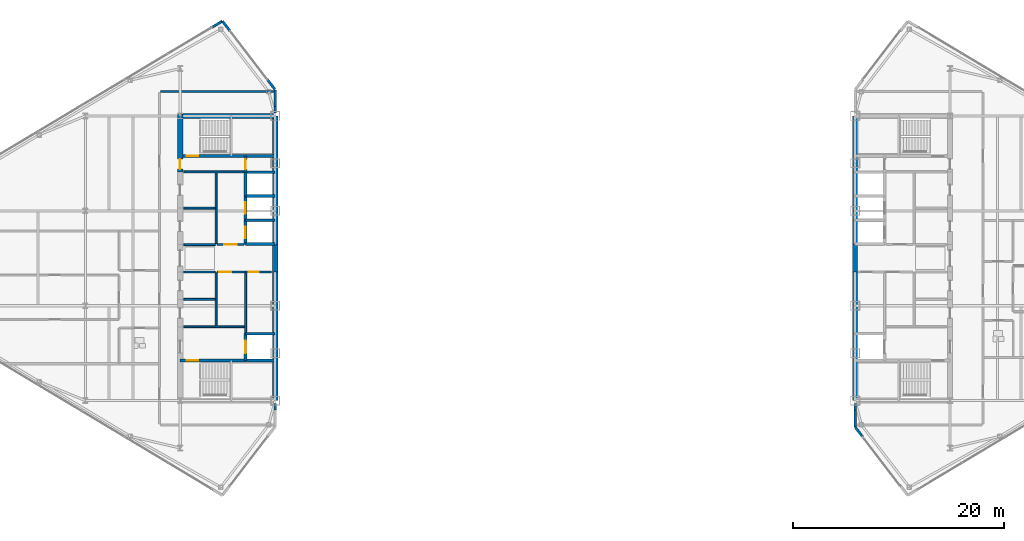
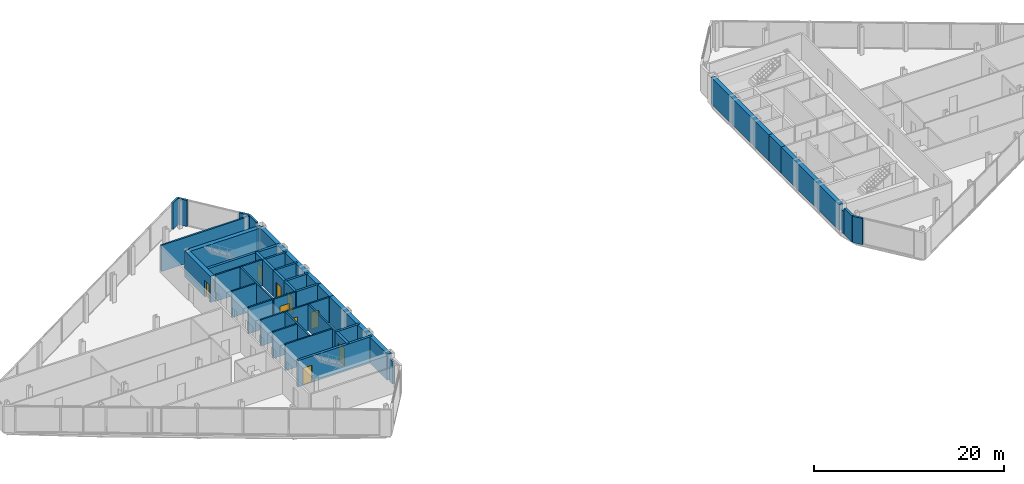
# One storey, part 20 of 25: 42 walls, 10 doors, 10 openings.
"""IFC4 building model written with IfcOpenShell, lengths in metres."""

from ifc_helpers import new_model, si_unit, direction, frame, frame_2d, origin, place, context, subcontext, project, spatial, rectangle, extrude, source, transform, mapped, material, layer, layer_set, type_object, type_shapes, element, fill, save


model = new_model("IFC4")

# Units and contexts
model_context = context("Model", 3, precision=1e-05, world=origin(), true_north=direction((0.0, 1.0)))
body_context = subcontext(model_context, "Body", "Model", "MODEL_VIEW")
ifc_project = project(units=[si_unit("LENGTHUNIT", "METRE"), si_unit("AREAUNIT", "SQUARE_METRE"), si_unit("VOLUMEUNIT", "CUBIC_METRE"), si_unit("PLANEANGLEUNIT", "RADIAN"), si_unit("MASSUNIT", "GRAM", prefix="KILO")], contexts=[model_context])

# Site, building, storey
site_placement = place(None, origin())
site = spatial("IfcSite", under=ifc_project, at=site_placement, CompositionType="ELEMENT")
building_placement = place(site_placement, origin())
building = spatial("IfcBuilding", under=site, at=building_placement, Name="Seokmaru Belvedere", CompositionType="ELEMENT")
storey_placement = place(building_placement, frame((0.0, 0.0, 210.300048828125)))
storey = spatial("IfcBuildingStorey", under=building, at=storey_placement, Name="L56", CompositionType="ELEMENT", Elevation=210.300048828125)

# Walls
ifc_material_1 = material(Name="Fire-Rated Gypsum Shaftwall")
ifc_layer_1 = layer(ifc_material_1, 0.179931640625)
ifc_layer_set_1 = layer_set([ifc_layer_1], Name="Fire-Rated Gypsum Shaftwall")
wall_type_1 = type_object("IfcWallType", Name="Core Service Fire Partition 180", PredefinedType="PARTITIONING", material=ifc_layer_set_1)
for number, where, z_axis, x_axis, name in (
    (1, (-36.14990234375, -6.5, 0.0), (0.0, 0.0, 1.0), (1.0, 0.0, 0.0), "L56 West Firefighting Lobby Partition"),
    (2, (-36.14990234375, 8.199951171875, 0.0), (0.0, 0.0, 1.0), (1.0, 0.0, 0.0), "L56 West Smokeproof Vestibule Partition"),
):
    element("IfcWall", number, at=place(storey_placement, frame(where, z_axis=z_axis, x_axis=x_axis)), inside=storey, type_object=wall_type_1, Name=name, PredefinedType="PARTITIONING", context=body_context, shape_type="SweptSolid", body=[
        extrude(rectangle(XDim=5.699951171875, YDim=0.179931640625, at=frame_2d((2.85009765625, 0.0))), origin(), (0.0, 0.0, 1.0), 3.3798828125),
    ])
wall_1_placement = place(storey_placement, frame((-33.10009765625, -6.419921875, 0.0), z_axis=(0.0, 0.0, 1.0), x_axis=(0.0, 1.0, 0.0)))
element("IfcWall", 3, at=wall_1_placement, inside=storey, type_object=wall_type_1, Name="L56 West South Core Service Back Wall", PredefinedType="PARTITIONING", context=body_context, shape_type="SweptSolid", body=[
    extrude(rectangle(XDim=5.0400390625, YDim=0.179931640625, at=frame_2d((2.52001953125, 0.0))), origin(), (0.0, 0.0, 1.0), 3.3798828125),
])
wall_2_placement = place(storey_placement, frame((-33.10009765625, 1.3798828125, 0.0), z_axis=(0.0, 0.0, 1.0), x_axis=(0.0, 1.0, 0.0)))
element("IfcWall", 4, at=wall_2_placement, inside=storey, type_object=wall_type_1, Name="L56 West North Core Service Back Wall", PredefinedType="PARTITIONING", context=body_context, shape_type="SweptSolid", body=[
    extrude(rectangle(XDim=6.740234375, YDim=0.179931640625, at=frame_2d((3.3701171875, 0.0))), origin(), (0.0, 0.0, 1.0), 3.3798828125),
])

# Wall, opening, door
wall_3_placement = place(storey_placement, frame((-30.300048828125, -1.300048828125, 0.0), z_axis=(0.0, 0.0, 1.0), x_axis=(1.0, 0.0, 0.0)))
wall_3 = element("IfcWall", 5, at=wall_3_placement, inside=storey, type_object=wall_type_1, Name="L56 West South Parcel Vault Foyer Wall", PredefinedType="PARTITIONING", context=body_context, shape_type="SweptSolid", body=[
    extrude(rectangle(XDim=2.449951171875, YDim=0.179931640625, at=frame_2d((1.22509765625, 0.0))), origin(), (0.0, 0.0, 1.0), 3.3798828125),
])
opening_1_placement = place(wall_3_placement, frame((0.27490234375, 0.0, 0.0)))
opening_1 = element("IfcOpeningElement", 6, at=opening_1_placement, cuts=wall_3, Name="Opening D04", PredefinedType="OPENING", context=body_context, shape_type="SweptSolid", body=[
    extrude(rectangle(XDim=0.949951171875, YDim=2.14990234375, at=frame_2d((0.47509765625, 1.074951171875))), frame((0.0, 0.10009765625, 0.0), z_axis=(0.0, -1.0, 0.0), x_axis=(1.0, 0.0, 0.0)), (0.0, 0.0, 1.0), 0.199951171875),
])
ifc_material_2 = material(Name="Fire-Rated Steel Leaf", Category="steel")
door_type_1 = type_object("IfcDoorType", Name="Core Service Room Fire Door 950x2150", OperationType="NOTDEFINED", PredefinedType="DOOR", material=ifc_material_2)
shared_shape_1 = source(origin(), body_context, "Body", "SweptSolid", [
    extrude(rectangle(XDim=0.949951171875, YDim=2.14990234375, at=frame_2d((0.47509765625, 1.074951171875))), frame((0.0, 0.02490234375, 0.0), z_axis=(0.0, -1.0, 0.0), x_axis=(1.0, 0.0, 0.0)), (0.0, 0.0, 1.0), 0.050048828125),
])
type_shapes(door_type_1, [shared_shape_1])
door_1_placement = place(opening_1_placement, origin())
door_1 = element("IfcDoor", 7, at=door_1_placement, inside=storey, type_object=door_type_1, Name="L56 West South Parcel Vault Door", OperationType="SINGLE_SWING_LEFT", OverallHeight=2.14990234375, OverallWidth=0.949951171875, PredefinedType="DOOR", context=body_context, shape_type="MappedRepresentation", body=[
    mapped(shared_shape_1, transform((0.0, 0.0, 0.0), scale=1.0)),
])
fill(opening_1, door_1)

wall_4_placement = place(storey_placement, frame((-33.02001953125, -1.300048828125, 0.0), z_axis=(0.0, 0.0, 1.0), x_axis=(1.0, 0.0, 0.0)))
wall_4 = element("IfcWall", 8, at=wall_4_placement, inside=storey, type_object=wall_type_1, Name="L56 West South Wine Cellar Foyer Wall", PredefinedType="PARTITIONING", context=body_context, shape_type="SweptSolid", body=[
    extrude(rectangle(XDim=2.719970703125, YDim=0.179931640625, at=frame_2d((1.35986328125, 0.0))), origin(), (0.0, 0.0, 1.0), 3.3798828125),
])
opening_2_placement = place(wall_4_placement, frame((0.2099609375, 0.0, 0.0)))
opening_2 = element("IfcOpeningElement", 9, at=opening_2_placement, cuts=wall_4, Name="Opening D02", PredefinedType="OPENING", context=body_context, shape_type="SweptSolid", body=[
    extrude(rectangle(XDim=1.14990234375, YDim=2.199951171875, at=frame_2d((0.574951171875, 1.10009765625))), frame((0.0, 0.10009765625, 0.0), z_axis=(0.0, -1.0, 0.0), x_axis=(1.0, 0.0, 0.0)), (0.0, 0.0, 1.0), 0.199951171875),
])
door_type_2 = type_object("IfcDoorType", Name="Lobby and Vestibule Fire Door 1150x2200", OperationType="NOTDEFINED", PredefinedType="DOOR", material=ifc_material_2)
shared_shape_2 = source(origin(), body_context, "Body", "SweptSolid", [
    extrude(rectangle(XDim=1.14990234375, YDim=2.199951171875, at=frame_2d((0.574951171875, 1.10009765625))), frame((0.0, 0.02490234375, 0.0), z_axis=(0.0, -1.0, 0.0), x_axis=(1.0, 0.0, 0.0)), (0.0, 0.0, 1.0), 0.050048828125),
])
type_shapes(door_type_2, [shared_shape_2])
door_2_placement = place(opening_2_placement, origin())
door_2 = element("IfcDoor", 10, at=door_2_placement, inside=storey, type_object=door_type_2, Name="L56 West South Core Foyer Door", OperationType="SINGLE_SWING_LEFT", OverallHeight=2.199951171875, OverallWidth=1.14990234375, PredefinedType="DOOR", context=body_context, shape_type="MappedRepresentation", body=[
    mapped(shared_shape_2, transform((0.0, 0.0, 0.0), scale=1.0)),
])
fill(opening_2, door_2)

# Wall
wall_5_placement = place(storey_placement, frame((-30.300048828125, -7.1201171875, 0.0), z_axis=(0.0, 0.0, 1.0), x_axis=(0.0, 1.0, 0.0)))
element("IfcWall", 11, at=wall_5_placement, inside=storey, type_object=wall_type_1, Name="L56 West Freed Shaft Vault Partition", PredefinedType="PARTITIONING", context=body_context, shape_type="SweptSolid", body=[
    extrude(rectangle(XDim=5.740234375, YDim=0.179931640625, at=frame_2d((2.8701171875, 0.0))), origin(), (0.0, 0.0, 1.0), 3.3798828125),
])

# Wall, opening, door
wall_6_placement = place(storey_placement, frame((-33.02001953125, 1.300048828125, 0.0), z_axis=(0.0, 0.0, 1.0), x_axis=(1.0, 0.0, 0.0)))
wall_6 = element("IfcWall", 12, at=wall_6_placement, inside=storey, type_object=wall_type_1, Name="L56 West North Lift Lobby Foyer Wall", PredefinedType="PARTITIONING", context=body_context, shape_type="SweptSolid", body=[
    extrude(rectangle(XDim=2.570068359375, YDim=0.179931640625, at=frame_2d((1.28515625, 0.0))), origin(), (0.0, 0.0, 1.0), 3.3798828125),
])
opening_3_placement = place(wall_6_placement, frame((0.7099609375, 0.0, 0.0)))
opening_3 = element("IfcOpeningElement", 13, at=opening_3_placement, cuts=wall_6, Name="Opening D02", PredefinedType="OPENING", context=body_context, shape_type="SweptSolid", body=[
    extrude(rectangle(XDim=1.14990234375, YDim=2.199951171875, at=frame_2d((0.574951171875, 1.10009765625))), frame((0.0, 0.10009765625, 0.0), z_axis=(0.0, -1.0, 0.0), x_axis=(1.0, 0.0, 0.0)), (0.0, 0.0, 1.0), 0.199951171875),
])
door_3_placement = place(opening_3_placement, origin())
door_3 = element("IfcDoor", 14, at=door_3_placement, inside=storey, type_object=door_type_2, Name="L56 West North Lift Lobby Door", OperationType="SINGLE_SWING_RIGHT", OverallHeight=2.199951171875, OverallWidth=1.14990234375, PredefinedType="DOOR", context=body_context, shape_type="MappedRepresentation", body=[
    mapped(shared_shape_2, transform((0.0, 0.0, 0.0), scale=1.0)),
])
fill(opening_3, door_3)

# Walls
for number, where, z_axis, x_axis, name in (
    (15, (-36.14990234375, -1.300048828125, 0.0), (0.0, 0.0, 1.0), (1.0, 0.0, 0.0), "L56 West Foyer Side Wall S"),
    (16, (-36.14990234375, 1.300048828125, 0.0), (0.0, 0.0, 1.0), (1.0, 0.0, 0.0), "L56 West Foyer Side Wall N"),
    (17, (-36.14990234375, -3.89990234375, 0.0), (0.0, 0.0, 1.0), (1.0, 0.0, 0.0), "L56 West Core Service Partition 1"),
    (18, (-36.14990234375, 4.75, 0.0), (0.0, 0.0, 1.0), (1.0, 0.0, 0.0), "L56 West Core Service Partition 2"),
):
    element("IfcWall", number, at=place(storey_placement, frame(where, z_axis=z_axis, x_axis=x_axis)), inside=storey, type_object=wall_type_1, Name=name, PredefinedType="PARTITIONING", context=body_context, shape_type="SweptSolid", body=[
        extrude(rectangle(XDim=2.949951171875, YDim=0.179931640625, at=frame_2d((1.47509765625, 0.0))), origin(), (0.0, 0.0, 1.0), 3.3798828125),
    ])
ifc_material_3 = material(Name="Concrete C50 (50 MPa)", Category="concrete")
ifc_layer_2 = layer(ifc_material_3, 0.25)
ifc_layer_set_2 = layer_set([ifc_layer_2], Name="Concrete C50 (50 MPa)")
wall_type_2 = type_object("IfcWallType", Name="Hoistway Transverse Concrete Divider Wall 250", PredefinedType="SHEAR", material=ifc_layer_set_2)
for number, where, z_axis, x_axis, name in (
    (19, (-30.300048828125, -7.14990234375, 0.0), (0.0, 0.0, 1.0), (1.0, 0.0, 0.0), "L56 West Hoistway Divider Core Wall 1"),
    (20, (-30.300048828125, 1.35009765625, 0.0), (0.0, 0.0, 1.0), (1.0, 0.0, 0.0), "L56 West Hoistway Divider Core Wall 2"),
    (21, (-30.300048828125, 3.60009765625, 0.0), (0.0, 0.0, 1.0), (1.0, 0.0, 0.0), "L56 West Hoistway Divider Core Wall 3"),
    (22, (-30.300048828125, 5.89990234375, 0.0), (0.0, 0.0, 1.0), (1.0, 0.0, 0.0), "L56 West Hoistway Divider Core Wall 4"),
    (23, (-30.300048828125, 8.14990234375, 0.0), (0.0, 0.0, 1.0), (1.0, 0.0, 0.0), "L56 West Hoistway Divider Core Wall 5"),
):
    element("IfcWall", number, at=place(storey_placement, frame(where, z_axis=z_axis, x_axis=x_axis)), inside=storey, type_object=wall_type_2, Name=name, PredefinedType="SHEAR", context=body_context, shape_type="SweptSolid", body=[
        extrude(rectangle(XDim=2.800048828125, YDim=0.25, at=frame_2d((1.39990234375, 0.0))), origin(), (0.0, 0.0, 1.0), 3.3798828125),
    ])
ifc_layer_3 = layer(ifc_material_1, 0.199951171875)
ifc_layer_set_3 = layer_set([ifc_layer_3], Name="Fire-Rated Gypsum Shaftwall")
wall_type_3 = type_object("IfcWallType", Name="Inter-Tenancy Fire Compartment Partition 200", PredefinedType="PARTITIONING", material=ifc_layer_set_3)
wall_7_placement = place(storey_placement, frame((-38.364990234375, 15.800048828125, 0.0), z_axis=(0.0, 0.0, 1.0), x_axis=(1.0, 0.0, 0.0)))
element("IfcWall", 24, at=wall_7_placement, inside=storey, type_object=wall_type_3, Name="L56 Interior Partition 015", PredefinedType="PARTITIONING", context=body_context, shape_type="SweptSolid", body=[
    extrude(rectangle(XDim=10.739990234375, YDim=0.199951171875, at=frame_2d((5.3701171875, 0.0))), origin(), (0.0, 0.0, 1.0), 3.3798828125),
])

# Wall, opening, door
ifc_layer_4 = layer(ifc_material_3, 0.300048828125)
ifc_layer_set_4 = layer_set([ifc_layer_4], Name="Concrete C50 (50 MPa)")
wall_type_4 = type_object("IfcWallType", Name="Internal Core Stair and Hoistway Wall 300", PredefinedType="SHEAR", material=ifc_layer_set_4)
wall_8_placement = place(storey_placement, frame((-36.5, -9.699951171875, 0.0), z_axis=(0.0, 0.0, 1.0), x_axis=(1.0, 0.0, 0.0)))
wall_8 = element("IfcWall", 25, at=wall_8_placement, inside=storey, type_object=wall_type_4, Name="L56 West Stair ST-1 Enclosure Wall", PredefinedType="SHEAR", context=body_context, shape_type="SweptSolid", body=[
    extrude(rectangle(XDim=9.0, YDim=0.300048828125, at=frame_2d((4.5, 0.0))), origin(), (0.0, 0.0, 1.0), 3.3798828125),
])
opening_4_placement = place(wall_8_placement, frame((0.60009765625, 0.0, 0.0)))
opening_4 = element("IfcOpeningElement", 26, at=opening_4_placement, cuts=wall_8, Name="Opening D01", PredefinedType="OPENING", context=body_context, shape_type="SweptSolid", body=[
    extrude(rectangle(XDim=1.10009765625, YDim=2.199951171875, at=frame_2d((0.550048828125, 1.10009765625))), frame((0.0, 0.16015625, 0.0), z_axis=(0.0, -1.0, 0.0), x_axis=(1.0, 0.0, 0.0)), (0.0, 0.0, 1.0), 0.320068359375),
])
door_type_3 = type_object("IfcDoorType", Name="Special Escape Stair Smokeproof Fire Door 1100x2200", OperationType="NOTDEFINED", PredefinedType="DOOR", material=ifc_material_2)
shared_shape_3 = source(origin(), body_context, "Body", "SweptSolid", [
    extrude(rectangle(XDim=1.10009765625, YDim=2.199951171875, at=frame_2d((0.550048828125, 1.10009765625))), frame((0.0, 0.02490234375, 0.0), z_axis=(0.0, -1.0, 0.0), x_axis=(1.0, 0.0, 0.0)), (0.0, 0.0, 1.0), 0.050048828125),
])
type_shapes(door_type_3, [shared_shape_3])
door_4_placement = place(opening_4_placement, frame((1.10009765625, 0.0, 0.0), z_axis=(0.0, 0.0, 1.0), x_axis=(-1.0, 0.0, 0.0)))
door_4 = element("IfcDoor", 27, at=door_4_placement, inside=storey, type_object=door_type_3, Name="L56 West Special Escape Stair ST-1 Door", OperationType="SINGLE_SWING_LEFT", OverallHeight=2.199951171875, OverallWidth=1.10009765625, PredefinedType="DOOR", context=body_context, shape_type="MappedRepresentation", body=[
    mapped(shared_shape_3, transform((0.0, 0.0, 0.0), scale=1.0)),
])
fill(opening_4, door_4)

wall_9_placement = place(storey_placement, frame((-36.5, 9.699951171875, 0.0), z_axis=(0.0, 0.0, 1.0), x_axis=(1.0, 0.0, 0.0)))
wall_9 = element("IfcWall", 28, at=wall_9_placement, inside=storey, type_object=wall_type_4, Name="L56 West Stair ST-2 Enclosure Wall", PredefinedType="SHEAR", context=body_context, shape_type="SweptSolid", body=[
    extrude(rectangle(XDim=9.0, YDim=0.300048828125, at=frame_2d((4.5, 0.0))), origin(), (0.0, 0.0, 1.0), 3.3798828125),
])
opening_5_placement = place(wall_9_placement, frame((0.60009765625, 0.0, 0.0)))
opening_5 = element("IfcOpeningElement", 29, at=opening_5_placement, cuts=wall_9, Name="Opening D01", PredefinedType="OPENING", context=body_context, shape_type="SweptSolid", body=[
    extrude(rectangle(XDim=1.10009765625, YDim=2.199951171875, at=frame_2d((0.550048828125, 1.10009765625))), frame((0.0, 0.16015625, 0.0), z_axis=(0.0, -1.0, 0.0), x_axis=(1.0, 0.0, 0.0)), (0.0, 0.0, 1.0), 0.320068359375),
])
door_5_placement = place(opening_5_placement, origin())
door_5 = element("IfcDoor", 30, at=door_5_placement, inside=storey, type_object=door_type_3, Name="L56 West Special Escape Stair ST-2 Door", OperationType="SINGLE_SWING_RIGHT", OverallHeight=2.199951171875, OverallWidth=1.10009765625, PredefinedType="DOOR", context=body_context, shape_type="MappedRepresentation", body=[
    mapped(shared_shape_3, transform((0.0, 0.0, 0.0), scale=1.0)),
])
fill(opening_5, door_5)

wall_10_placement = place(storey_placement, frame((-30.300048828125, -9.679931640625, 0.0), z_axis=(0.0, 0.0, 1.0), x_axis=(0.0, 1.0, 0.0)))
wall_10 = element("IfcWall", 31, at=wall_10_placement, inside=storey, type_object=wall_type_4, Name="L56 West Firefighting Lift Shaft Front Wall", PredefinedType="SHEAR", context=body_context, shape_type="SweptSolid", body=[
    extrude(rectangle(XDim=2.559814453125, YDim=0.300048828125, at=frame_2d((1.27978515625, 0.0))), origin(), (0.0, 0.0, 1.0), 3.3798828125),
])
opening_6_placement = place(wall_10_placement, frame((0.679931640625, 0.0, 0.0)))
opening_6 = element("IfcOpeningElement", 32, at=opening_6_placement, cuts=wall_10, Name="Opening LD2", PredefinedType="OPENING", context=body_context, shape_type="SweptSolid", body=[
    extrude(rectangle(XDim=1.199951171875, YDim=2.25, at=frame_2d((0.60009765625, 1.125))), frame((0.0, 0.16015625, 0.0), z_axis=(0.0, -1.0, 0.0), x_axis=(1.0, 0.0, 0.0)), (0.0, 0.0, 1.0), 0.320068359375),
])
ifc_material_4 = material(Name="Stainless Steel 316", Category="steel")
door_type_4 = type_object("IfcDoorType", Name="Firefighting Lift Sliding Landing Door 1200x2250", OperationType="DOUBLE_DOOR_SLIDING", PredefinedType="DOOR", material=ifc_material_4)
shared_shape_4 = source(origin(), body_context, "Body", "SweptSolid", [
    extrude(rectangle(XDim=1.199951171875, YDim=2.25, at=frame_2d((0.60009765625, 1.125))), frame((0.0, 0.02490234375, 0.0), z_axis=(0.0, -1.0, 0.0), x_axis=(1.0, 0.0, 0.0)), (0.0, 0.0, 1.0), 0.050048828125),
])
type_shapes(door_type_4, [shared_shape_4])
door_6_placement = place(opening_6_placement, origin())
door_6 = element("IfcDoor", 33, at=door_6_placement, inside=storey, type_object=door_type_4, Name="L56 West Firefighting Lift Landing Door", OperationType="DOUBLE_DOOR_SLIDING", OverallHeight=2.25, OverallWidth=1.199951171875, PredefinedType="DOOR", context=body_context, shape_type="MappedRepresentation", body=[
    mapped(shared_shape_4, transform((0.0, 0.0, 0.0), scale=1.0)),
])
fill(opening_6, door_6)

wall_11_placement = place(storey_placement, frame((-30.300048828125, 1.320068359375, 0.0), z_axis=(0.0, 0.0, 1.0), x_axis=(0.0, 1.0, 0.0)))
wall_11 = element("IfcWall", 34, at=wall_11_placement, inside=storey, type_object=wall_type_4, Name="L56 West North Hoistway Wall PH1", PredefinedType="SHEAR", context=body_context, shape_type="SweptSolid", body=[
    extrude(rectangle(XDim=2.280029296875, YDim=0.300048828125, at=frame_2d((1.14013671875, 0.0))), origin(), (0.0, 0.0, 1.0), 3.3798828125),
])
opening_7_placement = place(wall_11_placement, frame((0.590087890625, 0.0, 0.0)))
opening_7 = element("IfcOpeningElement", 35, at=opening_7_placement, cuts=wall_11, Name="Opening LD1", PredefinedType="OPENING", context=body_context, shape_type="SweptSolid", body=[
    extrude(rectangle(XDim=1.10009765625, YDim=2.199951171875, at=frame_2d((0.550048828125, 1.10009765625))), frame((0.0, 0.16015625, 0.0), z_axis=(0.0, -1.0, 0.0), x_axis=(1.0, 0.0, 0.0)), (0.0, 0.0, 1.0), 0.320068359375),
])
door_type_5 = type_object("IfcDoorType", Name="Passenger Lift Sliding Landing Door 1100x2200", OperationType="DOUBLE_DOOR_SLIDING", PredefinedType="DOOR", material=ifc_material_4)
shared_shape_5 = source(origin(), body_context, "Body", "SweptSolid", [
    extrude(rectangle(XDim=1.10009765625, YDim=2.199951171875, at=frame_2d((0.550048828125, 1.10009765625))), frame((0.0, 0.02490234375, 0.0), z_axis=(0.0, -1.0, 0.0), x_axis=(1.0, 0.0, 0.0)), (0.0, 0.0, 1.0), 0.050048828125),
])
type_shapes(door_type_5, [shared_shape_5])
door_7_placement = place(opening_7_placement, origin())
door_7 = element("IfcDoor", 36, at=door_7_placement, inside=storey, type_object=door_type_5, Name="L56 West High-Rise Lift PH-1 Landing Door", OperationType="DOUBLE_DOOR_SLIDING", OverallHeight=2.199951171875, OverallWidth=1.10009765625, PredefinedType="DOOR", context=body_context, shape_type="MappedRepresentation", body=[
    mapped(shared_shape_5, transform((0.0, 0.0, 0.0), scale=1.0)),
])
fill(opening_7, door_7)

wall_12_placement = place(storey_placement, frame((-30.300048828125, 3.60009765625, 0.0), z_axis=(0.0, 0.0, 1.0), x_axis=(0.0, 1.0, 0.0)))
wall_12 = element("IfcWall", 37, at=wall_12_placement, inside=storey, type_object=wall_type_4, Name="L56 West North Hoistway Wall PH2", PredefinedType="SHEAR", context=body_context, shape_type="SweptSolid", body=[
    extrude(rectangle(XDim=2.2998046875, YDim=0.300048828125, at=frame_2d((1.14990234375, 0.0))), origin(), (0.0, 0.0, 1.0), 3.3798828125),
])
opening_8_placement = place(wall_12_placement, frame((0.60009765625, 0.0, 0.0)))
opening_8 = element("IfcOpeningElement", 38, at=opening_8_placement, cuts=wall_12, Name="Opening LD1", PredefinedType="OPENING", context=body_context, shape_type="SweptSolid", body=[
    extrude(rectangle(XDim=1.10009765625, YDim=2.199951171875, at=frame_2d((0.550048828125, 1.10009765625))), frame((0.0, 0.16015625, 0.0), z_axis=(0.0, -1.0, 0.0), x_axis=(1.0, 0.0, 0.0)), (0.0, 0.0, 1.0), 0.320068359375),
])
door_8_placement = place(opening_8_placement, origin())
door_8 = element("IfcDoor", 39, at=door_8_placement, inside=storey, type_object=door_type_5, Name="L56 West High-Rise Lift PH-2 Landing Door", OperationType="DOUBLE_DOOR_SLIDING", OverallHeight=2.199951171875, OverallWidth=1.10009765625, PredefinedType="DOOR", context=body_context, shape_type="MappedRepresentation", body=[
    mapped(shared_shape_5, transform((0.0, 0.0, 0.0), scale=1.0)),
])
fill(opening_8, door_8)

# Wall
wall_13_placement = place(storey_placement, frame((-30.300048828125, 5.89990234375, 0.0), z_axis=(0.0, 0.0, 1.0), x_axis=(0.0, 1.0, 0.0)))
element("IfcWall", 40, at=wall_13_placement, inside=storey, type_object=wall_type_4, Name="L56 West North Hoistway Wall OBS", PredefinedType="SHEAR", context=body_context, shape_type="SweptSolid", body=[
    extrude(rectangle(XDim=2.25, YDim=0.300048828125, at=frame_2d((1.125, 0.0))), origin(), (0.0, 0.0, 1.0), 3.3798828125),
])

# Wall, opening, door
wall_14_placement = place(storey_placement, frame((-30.300048828125, 8.14990234375, 0.0), z_axis=(0.0, 0.0, 1.0), x_axis=(0.0, 1.0, 0.0)))
wall_14 = element("IfcWall", 41, at=wall_14_placement, inside=storey, type_object=wall_type_4, Name="L56 West Electrical Riser Front Wall", PredefinedType="SHEAR", context=body_context, shape_type="SweptSolid", body=[
    extrude(rectangle(XDim=1.530029296875, YDim=0.300048828125, at=frame_2d((0.76513671875, 0.0))), origin(), (0.0, 0.0, 1.0), 3.3798828125),
])
opening_9_placement = place(wall_14_placement, frame((0.284912109375, 0.0, 0.0)))
opening_9 = element("IfcOpeningElement", 42, at=opening_9_placement, cuts=wall_14, Name="Opening D04", PredefinedType="OPENING", context=body_context, shape_type="SweptSolid", body=[
    extrude(rectangle(XDim=0.949951171875, YDim=2.14990234375, at=frame_2d((0.47509765625, 1.074951171875))), frame((0.0, 0.16015625, 0.0), z_axis=(0.0, -1.0, 0.0), x_axis=(1.0, 0.0, 0.0)), (0.0, 0.0, 1.0), 0.320068359375),
])
door_9_placement = place(opening_9_placement, origin())
door_9 = element("IfcDoor", 43, at=door_9_placement, inside=storey, type_object=door_type_1, Name="L56 West Electrical Riser Access Door", OperationType="SINGLE_SWING_LEFT", OverallHeight=2.14990234375, OverallWidth=0.949951171875, PredefinedType="DOOR", context=body_context, shape_type="MappedRepresentation", body=[
    mapped(shared_shape_1, transform((0.0, 0.0, 0.0), scale=1.0)),
])
fill(opening_9, door_9)

# Walls
ifc_material_5 = material(Name="Anodised Bronze Aluminium", Category="aluminium")
ifc_layer_5 = layer(ifc_material_5, 0.239990234375)
ifc_layer_set_5 = layer_set([ifc_layer_5], Name="Anodised Bronze Aluminium")
wall_type_5 = type_object("IfcWallType", Name="Tower Corner Spandrel Closure Wall 240", PredefinedType="SOLIDWALL", material=ifc_layer_set_5)
for number, where, z_axis, x_axis, name in (
    (44, (-27.5, -14.374755859375, 0.0), (0.0, 0.0, 1.0), (0.0, 1.0, 0.0), "L56 W Shoulder Closure Wall 1 Part 2"),
    (45, (-27.5, 13.7548828125, 0.0), (0.0, 0.0, 1.0), (0.0, 1.0, 0.0), "L56 W Shoulder Closure Wall 2"),
):
    element("IfcWall", number, at=place(storey_placement, frame(where, z_axis=z_axis, x_axis=x_axis)), inside=storey, type_object=wall_type_5, Name=name, PredefinedType="SOLIDWALL", context=body_context, shape_type="SweptSolid", body=[
        extrude(rectangle(XDim=0.619873046875, YDim=0.239990234375, at=frame_2d((0.31005859375, 0.0))), origin(), (0.0, 0.0, 1.0), 2.8798828125),
    ])
wall_15_placement = place(storey_placement, frame((-27.5, 14.374755859375, 0.0), z_axis=(0.0, 0.0, 1.0), x_axis=(0.0, 1.0, 0.0)))
element("IfcWall", 46, at=wall_15_placement, inside=storey, type_object=wall_type_5, Name="L56 W Shoulder Closure Wall 2 Part 2", PredefinedType="SOLIDWALL", context=body_context, shape_type="SweptSolid", body=[
    extrude(rectangle(XDim=1.605224609375, YDim=0.239990234375, at=frame_2d((0.802734375, 0.0))), origin(), (0.0, 0.0, 1.0), 3.3798828125),
])
for number, where, z_axis, x_axis, name in (
    (47, (-27.506103515625, 16.0078125, 0.0), (0.0, 0.0, 1.0), (-0.609617623633, 0.792695624408, 0.0), "L56 W Corner Closure Pier 2A"),
    (48, (-31.798828125, 21.58837890625, 0.0), (0.0, 0.0, 1.0), (-0.609617623633, 0.792695624408, 0.0), "L56 W Corner Closure Pier 2B"),
    (49, (-32.508544921875, 22.494873046875, 0.0), (0.0, 0.0, 1.0), (-0.85743623509, -0.514590228002, 0.0), "L56 W Corner Closure Pier 3A"),
):
    element("IfcWall", number, at=place(storey_placement, frame(where, z_axis=z_axis, x_axis=x_axis)), inside=storey, type_object=wall_type_5, Name=name, PredefinedType="SOLIDWALL", context=body_context, shape_type="SweptSolid", body=[
        extrude(rectangle(XDim=1.14013671875, YDim=0.239990234375, at=frame_2d((0.570068359375, 0.0))), origin(), (0.0, 0.0, 1.0), 3.3798828125),
    ])
wall_16_placement = place(storey_placement, frame((27.5, -15.97998046875, 0.0), z_axis=(0.0, 0.0, 1.0), x_axis=(0.0, 1.0, 0.0)))
element("IfcWall", 50, at=wall_16_placement, inside=storey, type_object=wall_type_5, Name="L56 E Shoulder Closure Wall 1", PredefinedType="SOLIDWALL", context=body_context, shape_type="SweptSolid", body=[
    extrude(rectangle(XDim=1.605224609375, YDim=0.239990234375, at=frame_2d((0.802734375, 0.0))), origin(), (0.0, 0.0, 1.0), 3.3798828125),
])
wall_17_placement = place(storey_placement, frame((27.5, -14.374755859375, 0.0), z_axis=(0.0, 0.0, 1.0), x_axis=(0.0, 1.0, 0.0)))
element("IfcWall", 51, at=wall_17_placement, inside=storey, type_object=wall_type_5, Name="L56 E Shoulder Closure Wall 1 Part 2", PredefinedType="SOLIDWALL", context=body_context, shape_type="SweptSolid", body=[
    extrude(rectangle(XDim=0.619873046875, YDim=0.239990234375, at=frame_2d((0.31005859375, 0.0))), origin(), (0.0, 0.0, 1.0), 2.8798828125),
])
wall_18_placement = place(storey_placement, frame((27.506103515625, -16.0078125, 0.0), z_axis=(0.0, 0.0, 1.0), x_axis=(0.609617623633, -0.792695624408, 0.0)))
element("IfcWall", 52, at=wall_18_placement, inside=storey, type_object=wall_type_5, Name="L56 E Corner Closure Pier 6A", PredefinedType="SOLIDWALL", context=body_context, shape_type="SweptSolid", body=[
    extrude(rectangle(XDim=1.14013671875, YDim=0.239990234375, at=frame_2d((0.570068359375, 0.0))), origin(), (0.0, 0.0, 1.0), 3.3798828125),
])
ifc_layer_6 = layer(ifc_material_3, 0.5)
ifc_layer_set_6 = layer_set([ifc_layer_6], Name="Concrete C50 (50 MPa)")
wall_type_6 = type_object("IfcWallType", Name="Upper Tower Reinforced Concrete Core Wall 500", PredefinedType="SHEAR", material=ifc_layer_set_6)
for number, where, z_axis, x_axis, name in (
    (53, (-27.5, -13.5, 0.0), (0.0, 0.0, 1.0), (0.0, 1.0, 0.0), "L56 West Portal Spine Core Wall South"),
    (54, (-27.5, 1.300048828125, 0.0), (0.0, 0.0, 1.0), (0.0, 1.0, 0.0), "L56 West Portal Spine Core Wall North"),
):
    element("IfcWall", number, at=place(storey_placement, frame(where, z_axis=z_axis, x_axis=x_axis)), inside=storey, type_object=wall_type_6, Name=name, PredefinedType="SHEAR", context=body_context, shape_type="SweptSolid", body=[
        extrude(rectangle(XDim=12.199951171875, YDim=0.5, at=frame_2d((6.10009765625, 0.0))), origin(), (0.0, 0.0, 1.0), 3.3798828125),
    ])
wall_19_placement = place(storey_placement, frame((-27.5, -1.300048828125, 0.0), z_axis=(0.0, 0.0, 1.0), x_axis=(0.0, 1.0, 0.0)))
element("IfcWall", 55, at=wall_19_placement, inside=storey, type_object=wall_type_6, Name="L56 West Portal Spine Core Wall Center", PredefinedType="SHEAR", context=body_context, shape_type="SweptSolid", body=[
    extrude(rectangle(XDim=2.60009765625, YDim=0.5, at=frame_2d((1.300048828125, 0.0))), origin(), (0.0, 0.0, 1.0), 3.3798828125),
])
wall_20_placement = place(storey_placement, frame((-36.5, 13.5, 0.0), z_axis=(0.0, 0.0, 1.0), x_axis=(1.0, 0.0, 0.0)))
element("IfcWall", 56, at=wall_20_placement, inside=storey, type_object=wall_type_6, Name="L56 West North Core Wall", PredefinedType="SHEAR", context=body_context, shape_type="SweptSolid", body=[
    extrude(rectangle(XDim=9.0, YDim=0.5, at=frame_2d((4.5, 0.0))), origin(), (0.0, 0.0, 1.0), 3.3798828125),
])

# Wall, opening, door
wall_21_placement = place(storey_placement, frame((-36.5, 8.199951171875, 0.0), z_axis=(0.0, 0.0, 1.0), x_axis=(0.0, 1.0, 0.0)))
wall_21 = element("IfcWall", 57, at=wall_21_placement, inside=storey, type_object=wall_type_6, Name="L56 West West Core Wall VST", PredefinedType="SHEAR", context=body_context, shape_type="SweptSolid", body=[
    extrude(rectangle(XDim=5.449951171875, YDim=0.5, at=frame_2d((2.72509765625, 0.0))), origin(), (0.0, 0.0, 1.0), 3.3798828125),
])
opening_10_placement = place(wall_21_placement, frame((0.2451171875, 0.0, 0.0)))
opening_10 = element("IfcOpeningElement", 58, at=opening_10_placement, cuts=wall_21, Name="Opening D04", PredefinedType="OPENING", context=body_context, shape_type="SweptSolid", body=[
    extrude(rectangle(XDim=0.949951171875, YDim=2.14990234375, at=frame_2d((0.47509765625, 1.074951171875))), frame((0.0, 0.260009765625, 0.0), z_axis=(0.0, -1.0, 0.0), x_axis=(1.0, 0.0, 0.0)), (0.0, 0.0, 1.0), 0.52001953125),
])
door_10_placement = place(opening_10_placement, frame((0.949951171875, 0.0, 0.0), z_axis=(0.0, 0.0, 1.0), x_axis=(-1.0, 0.0, 0.0)))
door_10 = element("IfcDoor", 59, at=door_10_placement, inside=storey, type_object=door_type_1, Name="L56 West Smokeproof Vestibule Door", OperationType="SINGLE_SWING_RIGHT", OverallHeight=2.14990234375, OverallWidth=0.949951171875, PredefinedType="DOOR", context=body_context, shape_type="MappedRepresentation", body=[
    mapped(shared_shape_1, transform((0.0, 0.0, 0.0), scale=1.0)),
])
fill(opening_10, door_10)

# Walls
for number, where, z_axis, x_axis, name in (
    (60, (27.5, -13.5, 0.0), (0.0, 0.0, 1.0), (0.0, 1.0, 0.0), "L56 East Portal Spine Core Wall South"),
    (61, (27.5, 1.300048828125, 0.0), (0.0, 0.0, 1.0), (0.0, 1.0, 0.0), "L56 East Portal Spine Core Wall North"),
):
    element("IfcWall", number, at=place(storey_placement, frame(where, z_axis=z_axis, x_axis=x_axis)), inside=storey, type_object=wall_type_6, Name=name, PredefinedType="SHEAR", context=body_context, shape_type="SweptSolid", body=[
        extrude(rectangle(XDim=12.199951171875, YDim=0.5, at=frame_2d((6.10009765625, 0.0))), origin(), (0.0, 0.0, 1.0), 3.3798828125),
    ])
wall_22_placement = place(storey_placement, frame((27.5, -1.300048828125, 0.0), z_axis=(0.0, 0.0, 1.0), x_axis=(0.0, 1.0, 0.0)))
element("IfcWall", 62, at=wall_22_placement, inside=storey, type_object=wall_type_6, Name="L56 East Portal Spine Core Wall Center", PredefinedType="SHEAR", context=body_context, shape_type="SweptSolid", body=[
    extrude(rectangle(XDim=2.60009765625, YDim=0.5, at=frame_2d((1.300048828125, 0.0))), origin(), (0.0, 0.0, 1.0), 3.3798828125),
])

save(model, "model.ifc")
